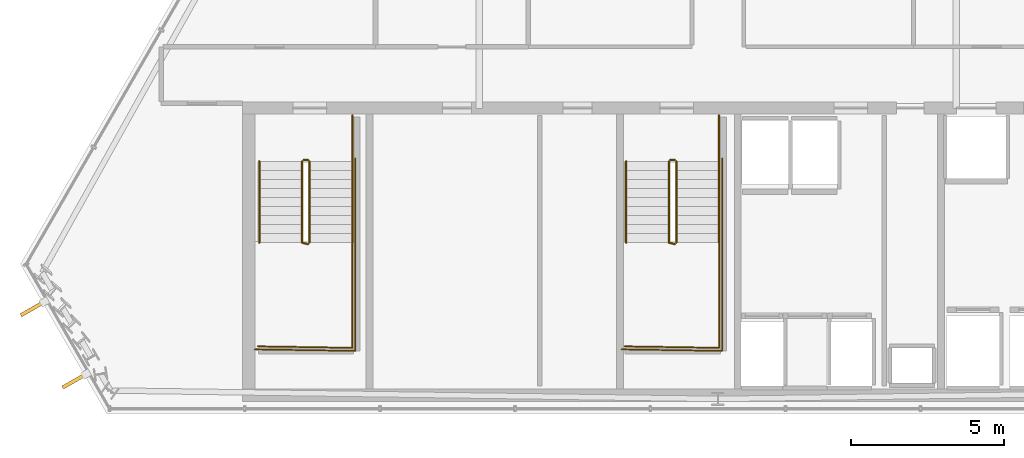
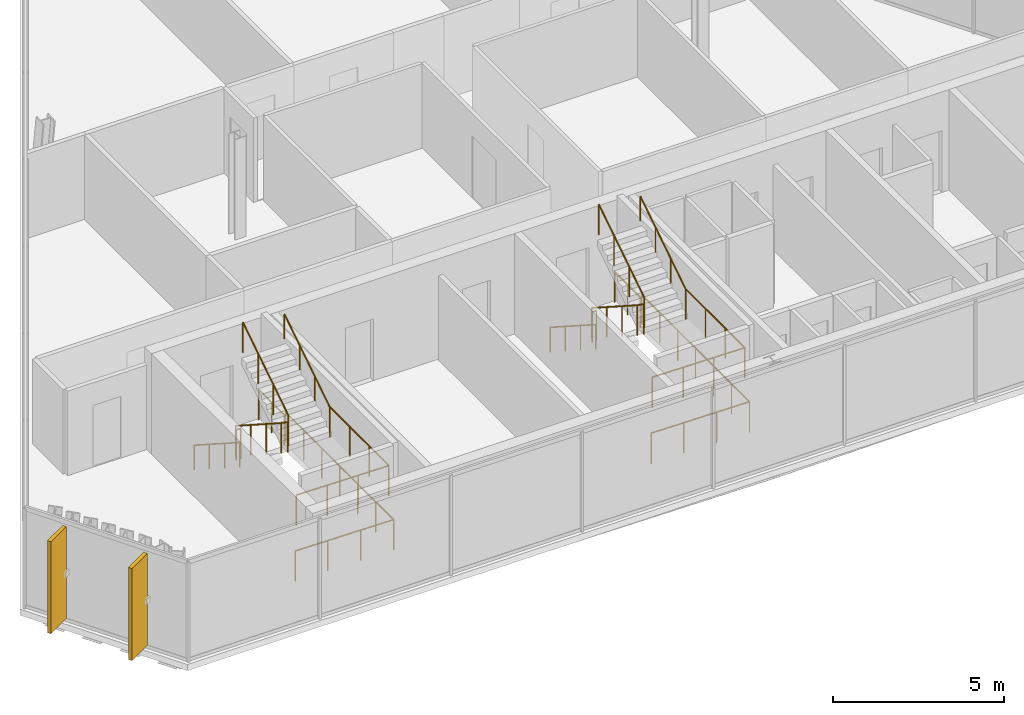
# One storey, part 32 of 34: 16 railings, 2 shading devices.
"""IFC4 building model written with IfcOpenShell, lengths in metres."""

from ifc_helpers import new_model, si_unit, direction, frame, origin, origin_2d, place, context, subcontext, project, spatial, rectangle, circle, extrude, material, layer, layer_set, type_object, element, save


model = new_model("IFC4")

# Units and contexts
model_context = context("Model", 3, precision=1e-05, world=origin(), true_north=direction((0.0, 1.0)))
body_context = subcontext(model_context, "Body", "Model", "MODEL_VIEW")
ifc_project = project(units=[si_unit("LENGTHUNIT", "METRE"), si_unit("AREAUNIT", "SQUARE_METRE"), si_unit("VOLUMEUNIT", "CUBIC_METRE"), si_unit("PLANEANGLEUNIT", "RADIAN"), si_unit("MASSUNIT", "GRAM", prefix="KILO")], contexts=[model_context])

# Site, building, storey
site_placement = place(None, origin())
site = spatial("IfcSite", under=ifc_project, at=site_placement, CompositionType="ELEMENT")
building_placement = place(site_placement, origin())
building = spatial("IfcBuilding", under=site, at=building_placement, Name="Ndaravel Arena Tower", CompositionType="ELEMENT")
storey_placement = place(building_placement, frame((0.0, 0.0, 267.39990234375)))
storey = spatial("IfcBuildingStorey", under=building, at=storey_placement, Name="L65", CompositionType="ELEMENT", Elevation=267.39990234375)

# Railings
ifc_material_1 = material(Name="Steel S355", Category="steel")
ifc_layer_1 = layer(ifc_material_1, 0.06005859375)
ifc_layer_set_1 = layer_set([ifc_layer_1], Name="Steel S355")
railing_type_1 = type_object("IfcRailingType", Name="RAIL-STAIR-GD1100", PredefinedType="GUARDRAIL", material=ifc_layer_set_1)
railing_1_placement = place(storey_placement, frame((28.39990234375, 13.25, 0.190185546875)))
element("IfcRailing", 1, at=railing_1_placement, inside=storey, type_object=railing_type_1, Name="L65 ST-1 stair guard 1", PredefinedType="GUARDRAIL", context=body_context, shape_type="SweptSolid", body=[
    extrude(circle(Radius=0.02392578125, at=origin_2d()), frame((0.0, 0.0, 1.076171875), z_axis=(0.0, -0.840723540582, 0.54146461409), x_axis=(1.0, 0.0, 0.0)), (0.0, 0.0, 1.0), 3.157958984375),
    extrude(circle(Radius=0.02392578125, at=origin_2d()), frame((0.0, -2.655029296875, 2.7861328125), z_axis=(0.967074537263, -0.25449329928, 0.0), x_axis=(0.25449329928, 0.967074537263, 0.0)), (0.0, 0.0, 1.0), 0.19677734375),
    extrude(circle(Radius=0.02099609375, at=origin_2d()), origin(), (0.0, 0.0, 1.0), 1.052001953125),
    extrude(circle(Radius=0.02099609375, at=origin_2d()), frame((0.0, -0.885009765625, 0.570068359375)), (0.0, 0.0, 1.0), 1.052001953125),
    extrude(circle(Radius=0.02099609375, at=origin_2d()), frame((0.0, -1.77001953125, 1.139892578125)), (0.0, 0.0, 1.0), 1.052001953125),
    extrude(circle(Radius=0.02099609375, at=origin_2d()), frame((0.0, -2.655029296875, 1.7099609375)), (0.0, 0.0, 1.0), 1.052001953125),
    extrude(circle(Radius=0.02099609375, at=origin_2d()), frame((0.190185546875, -2.705078125, 1.7099609375)), (0.0, 0.0, 1.0), 1.052001953125),
])
railing_2_placement = place(storey_placement, frame((30.0400390625, 10.594970703125, 1.900146484375)))
element("IfcRailing", 2, at=railing_2_placement, inside=storey, type_object=railing_type_1, Name="L65 ST-1 stair guard 2", PredefinedType="GUARDRAIL", context=body_context, shape_type="SweptSolid", body=[
    extrude(circle(Radius=0.02392578125, at=origin_2d()), frame((0.0, 0.0, 1.076171875), z_axis=(0.0, -1.0, 0.0), x_axis=(1.0, 0.0, 0.0)), (0.0, 0.0, 1.0), 3.445068359375),
    extrude(circle(Radius=0.02392578125, at=origin_2d()), frame((0.0, -3.445068359375, 1.076171875), z_axis=(-0.999868861343, 0.016194447071, 0.0), x_axis=(-0.016194447071, -0.999868861343, 0.0)), (0.0, 0.0, 1.0), 3.090576171875),
    extrude(circle(Radius=0.02099609375, at=origin_2d()), origin(), (0.0, 0.0, 1.0), 1.052001953125),
    extrude(circle(Radius=0.02099609375, at=origin_2d()), frame((0.0, -1.1484375, 0.0)), (0.0, 0.0, 1.0), 1.052001953125),
    extrude(circle(Radius=0.02099609375, at=origin_2d()), frame((0.0, -2.296630859375, 0.0)), (0.0, 0.0, 1.0), 1.052001953125),
    extrude(circle(Radius=0.02099609375, at=origin_2d()), frame((0.0, -3.445068359375, 0.0)), (0.0, 0.0, 1.0), 1.052001953125),
    extrude(circle(Radius=0.02099609375, at=origin_2d()), frame((-1.030029296875, -3.428466796875, 0.0)), (0.0, 0.0, 1.0), 1.052001953125),
    extrude(circle(Radius=0.02099609375, at=origin_2d()), frame((-2.06005859375, -3.41162109375, 0.0)), (0.0, 0.0, 1.0), 1.052001953125),
    extrude(circle(Radius=0.02099609375, at=origin_2d()), frame((-3.090087890625, -3.39501953125, 0.0)), (0.0, 0.0, 1.0), 1.052001953125),
])
railing_3_placement = place(storey_placement, frame((28.639892578125, 10.594970703125, 2.090087890625)))
element("IfcRailing", 3, at=railing_3_placement, inside=storey, type_object=railing_type_1, Name="L65 ST-1 stair guard 3", PredefinedType="GUARDRAIL", context=body_context, shape_type="SweptSolid", body=[
    extrude(circle(Radius=0.02392578125, at=origin_2d()), frame((0.0, 0.0, 1.076171875), z_axis=(0.0, 0.840723540582, 0.54146461409), x_axis=(-1.0, 0.0, 0.0)), (0.0, 0.0, 1.0), 3.157958984375),
    extrude(circle(Radius=0.02099609375, at=origin_2d()), origin(), (0.0, 0.0, 1.0), 1.052001953125),
    extrude(circle(Radius=0.02099609375, at=origin_2d()), frame((0.0, 0.885009765625, 0.570068359375)), (0.0, 0.0, 1.0), 1.052001953125),
    extrude(circle(Radius=0.02099609375, at=origin_2d()), frame((0.0, 1.77001953125, 1.139892578125)), (0.0, 0.0, 1.0), 1.052001953125),
    extrude(circle(Radius=0.02099609375, at=origin_2d()), frame((0.0, 2.655029296875, 1.7099609375)), (0.0, 0.0, 1.0), 1.052001953125),
])
railing_4_placement = place(storey_placement, frame((28.449951171875, 13.300048828125, 0.0)))
element("IfcRailing", 4, at=railing_4_placement, inside=storey, type_object=railing_type_1, Name="L65 ST-1 stair guard 4", PredefinedType="GUARDRAIL", context=body_context, shape_type="SweptSolid", body=[
    extrude(circle(Radius=0.02392578125, at=origin_2d()), frame((0.0, 0.0, 1.076171875), z_axis=(1.0, 0.0, 0.0), x_axis=(0.0, 1.0, 0.0)), (0.0, 0.0, 1.0), 0.14013671875),
    extrude(circle(Radius=0.02099609375, at=origin_2d()), origin(), (0.0, 0.0, 1.0), 1.052001953125),
    extrude(circle(Radius=0.02099609375, at=origin_2d()), frame((0.14013671875, 0.0, 0.0)), (0.0, 0.0, 1.0), 1.052001953125),
])
railing_5_placement = place(storey_placement, frame((30.0400390625, 14.75, 0.0)))
element("IfcRailing", 5, at=railing_5_placement, inside=storey, type_object=railing_type_1, Name="L65 ST-1 stair guard 5", PredefinedType="GUARDRAIL", context=body_context, shape_type="SweptSolid", body=[
    extrude(circle(Radius=0.02392578125, at=origin_2d()), frame((0.0, 0.0, 1.076171875), z_axis=(0.0, -1.0, 0.0), x_axis=(1.0, 0.0, 0.0)), (0.0, 0.0, 1.0), 1.5),
    extrude(circle(Radius=0.02099609375, at=origin_2d()), origin(), (0.0, 0.0, 1.0), 1.052001953125),
    extrude(circle(Radius=0.02099609375, at=origin_2d()), frame((0.0, -0.75, 0.0)), (0.0, 0.0, 1.0), 1.052001953125),
    extrude(circle(Radius=0.02099609375, at=origin_2d()), frame((0.0, -1.5, 0.0)), (0.0, 0.0, 1.0), 1.052001953125),
])
railing_6_placement = place(storey_placement, frame((30.139892578125, 13.35009765625, 0.0)))
element("IfcRailing", 6, at=railing_6_placement, inside=storey, type_object=railing_type_1, Name="L65 ST-1 stair guard 6", PredefinedType="GUARDRAIL", context=body_context, shape_type="SweptSolid", body=[
    extrude(circle(Radius=0.02392578125, at=origin_2d()), frame((0.0, 0.0, 1.076171875), z_axis=(0.0, -1.0, 0.0), x_axis=(1.0, 0.0, 0.0)), (0.0, 0.0, 1.0), 6.300048828125),
    extrude(circle(Radius=0.02392578125, at=origin_2d()), frame((0.0, -6.300048828125, 1.076171875), z_axis=(-0.999884296952, 0.015211597839, 0.0), x_axis=(-0.015211597839, -0.999884296952, 0.0)), (0.0, 0.0, 1.0), 3.290283203125),
    extrude(circle(Radius=0.02099609375, at=origin_2d()), origin(), (0.0, 0.0, 1.0), 1.052001953125),
    extrude(circle(Radius=0.02099609375, at=origin_2d()), frame((0.0, -1.050048828125, 0.0)), (0.0, 0.0, 1.0), 1.052001953125),
    extrude(circle(Radius=0.02099609375, at=origin_2d()), frame((0.0, -2.10009765625, 0.0)), (0.0, 0.0, 1.0), 1.052001953125),
    extrude(circle(Radius=0.02099609375, at=origin_2d()), frame((0.0, -3.14990234375, 0.0)), (0.0, 0.0, 1.0), 1.052001953125),
    extrude(circle(Radius=0.02099609375, at=origin_2d()), frame((0.0, -4.199951171875, 0.0)), (0.0, 0.0, 1.0), 1.052001953125),
    extrude(circle(Radius=0.02099609375, at=origin_2d()), frame((0.0, -5.25, 0.0)), (0.0, 0.0, 1.0), 1.052001953125),
    extrude(circle(Radius=0.02099609375, at=origin_2d()), frame((0.0, -6.300048828125, 0.0)), (0.0, 0.0, 1.0), 1.052001953125),
    extrude(circle(Radius=0.02099609375, at=origin_2d()), frame((-1.0966796875, -6.283447265625, 0.0)), (0.0, 0.0, 1.0), 1.052001953125),
    extrude(circle(Radius=0.02099609375, at=origin_2d()), frame((-2.193115234375, -6.2666015625, 0.0)), (0.0, 0.0, 1.0), 1.052001953125),
    extrude(circle(Radius=0.02099609375, at=origin_2d()), frame((-3.289794921875, -6.25, 0.0)), (0.0, 0.0, 1.0), 1.052001953125),
])
railing_7_placement = place(storey_placement, frame((40.39990234375, 13.25, 0.190185546875)))
element("IfcRailing", 7, at=railing_7_placement, inside=storey, type_object=railing_type_1, Name="L65 ST-2 stair guard 1", PredefinedType="GUARDRAIL", context=body_context, shape_type="SweptSolid", body=[
    extrude(circle(Radius=0.02392578125, at=origin_2d()), frame((0.0, 0.0, 1.076171875), z_axis=(0.0, -0.840723540582, 0.54146461409), x_axis=(1.0, 0.0, 0.0)), (0.0, 0.0, 1.0), 3.157958984375),
    extrude(circle(Radius=0.02392578125, at=origin_2d()), frame((0.0, -2.655029296875, 2.7861328125), z_axis=(0.967074537263, -0.25449329928, 0.0), x_axis=(0.25449329928, 0.967074537263, 0.0)), (0.0, 0.0, 1.0), 0.19677734375),
    extrude(circle(Radius=0.02099609375, at=origin_2d()), origin(), (0.0, 0.0, 1.0), 1.052001953125),
    extrude(circle(Radius=0.02099609375, at=origin_2d()), frame((0.0, -0.885009765625, 0.570068359375)), (0.0, 0.0, 1.0), 1.052001953125),
    extrude(circle(Radius=0.02099609375, at=origin_2d()), frame((0.0, -1.77001953125, 1.139892578125)), (0.0, 0.0, 1.0), 1.052001953125),
    extrude(circle(Radius=0.02099609375, at=origin_2d()), frame((0.0, -2.655029296875, 1.7099609375)), (0.0, 0.0, 1.0), 1.052001953125),
    extrude(circle(Radius=0.02099609375, at=origin_2d()), frame((0.190185546875, -2.705078125, 1.7099609375)), (0.0, 0.0, 1.0), 1.052001953125),
])
railing_8_placement = place(storey_placement, frame((42.0400390625, 10.594970703125, 1.900146484375)))
element("IfcRailing", 8, at=railing_8_placement, inside=storey, type_object=railing_type_1, Name="L65 ST-2 stair guard 2", PredefinedType="GUARDRAIL", context=body_context, shape_type="SweptSolid", body=[
    extrude(circle(Radius=0.02392578125, at=origin_2d()), frame((0.0, 0.0, 1.076171875), z_axis=(0.0, -1.0, 0.0), x_axis=(1.0, 0.0, 0.0)), (0.0, 0.0, 1.0), 3.445068359375),
    extrude(circle(Radius=0.02392578125, at=origin_2d()), frame((0.0, -3.445068359375, 1.076171875), z_axis=(-0.999868861343, 0.016194447071, 0.0), x_axis=(-0.016194447071, -0.999868861343, 0.0)), (0.0, 0.0, 1.0), 3.090576171875),
    extrude(circle(Radius=0.02099609375, at=origin_2d()), origin(), (0.0, 0.0, 1.0), 1.052001953125),
    extrude(circle(Radius=0.02099609375, at=origin_2d()), frame((0.0, -1.1484375, 0.0)), (0.0, 0.0, 1.0), 1.052001953125),
    extrude(circle(Radius=0.02099609375, at=origin_2d()), frame((0.0, -2.296630859375, 0.0)), (0.0, 0.0, 1.0), 1.052001953125),
    extrude(circle(Radius=0.02099609375, at=origin_2d()), frame((0.0, -3.445068359375, 0.0)), (0.0, 0.0, 1.0), 1.052001953125),
    extrude(circle(Radius=0.02099609375, at=origin_2d()), frame((-1.030029296875, -3.428466796875, 0.0)), (0.0, 0.0, 1.0), 1.052001953125),
    extrude(circle(Radius=0.02099609375, at=origin_2d()), frame((-2.06005859375, -3.41162109375, 0.0)), (0.0, 0.0, 1.0), 1.052001953125),
    extrude(circle(Radius=0.02099609375, at=origin_2d()), frame((-3.090087890625, -3.39501953125, 0.0)), (0.0, 0.0, 1.0), 1.052001953125),
])
railing_9_placement = place(storey_placement, frame((40.639892578125, 10.594970703125, 2.090087890625)))
element("IfcRailing", 9, at=railing_9_placement, inside=storey, type_object=railing_type_1, Name="L65 ST-2 stair guard 3", PredefinedType="GUARDRAIL", context=body_context, shape_type="SweptSolid", body=[
    extrude(circle(Radius=0.02392578125, at=origin_2d()), frame((0.0, 0.0, 1.076171875), z_axis=(0.0, 0.840723540582, 0.54146461409), x_axis=(-1.0, 0.0, 0.0)), (0.0, 0.0, 1.0), 3.157958984375),
    extrude(circle(Radius=0.02099609375, at=origin_2d()), origin(), (0.0, 0.0, 1.0), 1.052001953125),
    extrude(circle(Radius=0.02099609375, at=origin_2d()), frame((0.0, 0.885009765625, 0.570068359375)), (0.0, 0.0, 1.0), 1.052001953125),
    extrude(circle(Radius=0.02099609375, at=origin_2d()), frame((0.0, 1.77001953125, 1.139892578125)), (0.0, 0.0, 1.0), 1.052001953125),
    extrude(circle(Radius=0.02099609375, at=origin_2d()), frame((0.0, 2.655029296875, 1.7099609375)), (0.0, 0.0, 1.0), 1.052001953125),
])
railing_10_placement = place(storey_placement, frame((40.449951171875, 13.300048828125, 0.0)))
element("IfcRailing", 10, at=railing_10_placement, inside=storey, type_object=railing_type_1, Name="L65 ST-2 stair guard 4", PredefinedType="GUARDRAIL", context=body_context, shape_type="SweptSolid", body=[
    extrude(circle(Radius=0.02392578125, at=origin_2d()), frame((0.0, 0.0, 1.076171875), z_axis=(1.0, 0.0, 0.0), x_axis=(0.0, 1.0, 0.0)), (0.0, 0.0, 1.0), 0.14013671875),
    extrude(circle(Radius=0.02099609375, at=origin_2d()), origin(), (0.0, 0.0, 1.0), 1.052001953125),
    extrude(circle(Radius=0.02099609375, at=origin_2d()), frame((0.14013671875, 0.0, 0.0)), (0.0, 0.0, 1.0), 1.052001953125),
])
railing_11_placement = place(storey_placement, frame((42.0400390625, 14.75, 0.0)))
element("IfcRailing", 11, at=railing_11_placement, inside=storey, type_object=railing_type_1, Name="L65 ST-2 stair guard 5", PredefinedType="GUARDRAIL", context=body_context, shape_type="SweptSolid", body=[
    extrude(circle(Radius=0.02392578125, at=origin_2d()), frame((0.0, 0.0, 1.076171875), z_axis=(0.0, -1.0, 0.0), x_axis=(1.0, 0.0, 0.0)), (0.0, 0.0, 1.0), 1.5),
    extrude(circle(Radius=0.02099609375, at=origin_2d()), origin(), (0.0, 0.0, 1.0), 1.052001953125),
    extrude(circle(Radius=0.02099609375, at=origin_2d()), frame((0.0, -0.75, 0.0)), (0.0, 0.0, 1.0), 1.052001953125),
    extrude(circle(Radius=0.02099609375, at=origin_2d()), frame((0.0, -1.5, 0.0)), (0.0, 0.0, 1.0), 1.052001953125),
])
railing_12_placement = place(storey_placement, frame((42.139892578125, 13.35009765625, 0.0)))
element("IfcRailing", 12, at=railing_12_placement, inside=storey, type_object=railing_type_1, Name="L65 ST-2 stair guard 6", PredefinedType="GUARDRAIL", context=body_context, shape_type="SweptSolid", body=[
    extrude(circle(Radius=0.02392578125, at=origin_2d()), frame((0.0, 0.0, 1.076171875), z_axis=(0.0, -1.0, 0.0), x_axis=(1.0, 0.0, 0.0)), (0.0, 0.0, 1.0), 6.300048828125),
    extrude(circle(Radius=0.02392578125, at=origin_2d()), frame((0.0, -6.300048828125, 1.076171875), z_axis=(-0.999884296952, 0.015211597839, 0.0), x_axis=(-0.015211597839, -0.999884296952, 0.0)), (0.0, 0.0, 1.0), 3.290283203125),
    extrude(circle(Radius=0.02099609375, at=origin_2d()), origin(), (0.0, 0.0, 1.0), 1.052001953125),
    extrude(circle(Radius=0.02099609375, at=origin_2d()), frame((0.0, -1.050048828125, 0.0)), (0.0, 0.0, 1.0), 1.052001953125),
    extrude(circle(Radius=0.02099609375, at=origin_2d()), frame((0.0, -2.10009765625, 0.0)), (0.0, 0.0, 1.0), 1.052001953125),
    extrude(circle(Radius=0.02099609375, at=origin_2d()), frame((0.0, -3.14990234375, 0.0)), (0.0, 0.0, 1.0), 1.052001953125),
    extrude(circle(Radius=0.02099609375, at=origin_2d()), frame((0.0, -4.199951171875, 0.0)), (0.0, 0.0, 1.0), 1.052001953125),
    extrude(circle(Radius=0.02099609375, at=origin_2d()), frame((0.0, -5.25, 0.0)), (0.0, 0.0, 1.0), 1.052001953125),
    extrude(circle(Radius=0.02099609375, at=origin_2d()), frame((0.0, -6.300048828125, 0.0)), (0.0, 0.0, 1.0), 1.052001953125),
    extrude(circle(Radius=0.02099609375, at=origin_2d()), frame((-1.0966796875, -6.283447265625, 0.0)), (0.0, 0.0, 1.0), 1.052001953125),
    extrude(circle(Radius=0.02099609375, at=origin_2d()), frame((-2.193115234375, -6.2666015625, 0.0)), (0.0, 0.0, 1.0), 1.052001953125),
    extrude(circle(Radius=0.02099609375, at=origin_2d()), frame((-3.289794921875, -6.25, 0.0)), (0.0, 0.0, 1.0), 1.052001953125),
])
ifc_material_2 = material(Name="Steel S355", Category="steel")
ifc_layer_2 = layer(ifc_material_2, 0.050048828125)
ifc_layer_set_2 = layer_set([ifc_layer_2], Name="Steel S355")
railing_type_2 = type_object("IfcRailingType", Name="RAIL-STAIR-HR920", PredefinedType="HANDRAIL", material=ifc_layer_set_2)
railing_13_placement = place(storey_placement, frame((27.0, 13.25, 0.190185546875)))
element("IfcRailing", 13, at=railing_13_placement, inside=storey, type_object=railing_type_2, Name="L65 ST-1 stair handrail 1", PredefinedType="HANDRAIL", context=body_context, shape_type="SweptSolid", body=[
    extrude(circle(Radius=0.02392578125, at=origin_2d()), frame((0.0, 0.0, 0.8759765625), z_axis=(0.0, -0.840723540582, 0.54146461409), x_axis=(1.0, 0.0, 0.0)), (0.0, 0.0, 1.0), 3.157958984375),
    extrude(circle(Radius=0.02099609375, at=origin_2d()), origin(), (0.0, 0.0, 1.0), 0.851806640625),
    extrude(circle(Radius=0.02099609375, at=origin_2d()), frame((0.0, -0.885009765625, 0.570068359375)), (0.0, 0.0, 1.0), 0.851806640625),
    extrude(circle(Radius=0.02099609375, at=origin_2d()), frame((0.0, -1.77001953125, 1.139892578125)), (0.0, 0.0, 1.0), 0.851806640625),
    extrude(circle(Radius=0.02099609375, at=origin_2d()), frame((0.0, -2.655029296875, 1.7099609375)), (0.0, 0.0, 1.0), 0.851806640625),
])
railing_14_placement = place(storey_placement, frame((30.0400390625, 10.594970703125, 2.090087890625)))
element("IfcRailing", 14, at=railing_14_placement, inside=storey, type_object=railing_type_2, Name="L65 ST-1 stair handrail 2", PredefinedType="HANDRAIL", context=body_context, shape_type="SweptSolid", body=[
    extrude(circle(Radius=0.02392578125, at=origin_2d()), frame((0.0, 0.0, 0.8759765625), z_axis=(0.0, 0.840723540582, 0.54146461409), x_axis=(-1.0, 0.0, 0.0)), (0.0, 0.0, 1.0), 3.157958984375),
    extrude(circle(Radius=0.02099609375, at=origin_2d()), origin(), (0.0, 0.0, 1.0), 0.851806640625),
    extrude(circle(Radius=0.02099609375, at=origin_2d()), frame((0.0, 0.885009765625, 0.570068359375)), (0.0, 0.0, 1.0), 0.851806640625),
    extrude(circle(Radius=0.02099609375, at=origin_2d()), frame((0.0, 1.77001953125, 1.139892578125)), (0.0, 0.0, 1.0), 0.851806640625),
    extrude(circle(Radius=0.02099609375, at=origin_2d()), frame((0.0, 2.655029296875, 1.7099609375)), (0.0, 0.0, 1.0), 0.851806640625),
])
railing_15_placement = place(storey_placement, frame((39.0, 13.25, 0.190185546875)))
element("IfcRailing", 15, at=railing_15_placement, inside=storey, type_object=railing_type_2, Name="L65 ST-2 stair handrail 1", PredefinedType="HANDRAIL", context=body_context, shape_type="SweptSolid", body=[
    extrude(circle(Radius=0.02392578125, at=origin_2d()), frame((0.0, 0.0, 0.8759765625), z_axis=(0.0, -0.840723540582, 0.54146461409), x_axis=(1.0, 0.0, 0.0)), (0.0, 0.0, 1.0), 3.157958984375),
    extrude(circle(Radius=0.02099609375, at=origin_2d()), origin(), (0.0, 0.0, 1.0), 0.851806640625),
    extrude(circle(Radius=0.02099609375, at=origin_2d()), frame((0.0, -0.885009765625, 0.570068359375)), (0.0, 0.0, 1.0), 0.851806640625),
    extrude(circle(Radius=0.02099609375, at=origin_2d()), frame((0.0, -1.77001953125, 1.139892578125)), (0.0, 0.0, 1.0), 0.851806640625),
    extrude(circle(Radius=0.02099609375, at=origin_2d()), frame((0.0, -2.655029296875, 1.7099609375)), (0.0, 0.0, 1.0), 0.851806640625),
])
railing_16_placement = place(storey_placement, frame((42.0400390625, 10.594970703125, 2.090087890625)))
element("IfcRailing", 16, at=railing_16_placement, inside=storey, type_object=railing_type_2, Name="L65 ST-2 stair handrail 2", PredefinedType="HANDRAIL", context=body_context, shape_type="SweptSolid", body=[
    extrude(circle(Radius=0.02392578125, at=origin_2d()), frame((0.0, 0.0, 0.8759765625), z_axis=(0.0, 0.840723540582, 0.54146461409), x_axis=(-1.0, 0.0, 0.0)), (0.0, 0.0, 1.0), 3.157958984375),
    extrude(circle(Radius=0.02099609375, at=origin_2d()), origin(), (0.0, 0.0, 1.0), 0.851806640625),
    extrude(circle(Radius=0.02099609375, at=origin_2d()), frame((0.0, 0.885009765625, 0.570068359375)), (0.0, 0.0, 1.0), 0.851806640625),
    extrude(circle(Radius=0.02099609375, at=origin_2d()), frame((0.0, 1.77001953125, 1.139892578125)), (0.0, 0.0, 1.0), 0.851806640625),
    extrude(circle(Radius=0.02099609375, at=origin_2d()), frame((0.0, 2.655029296875, 1.7099609375)), (0.0, 0.0, 1.0), 0.851806640625),
])

# Shading devices
ifc_material_3 = material(Name="Masonry", Category="masonry")
shading_device_type = type_object("IfcShadingDeviceType", Name="SHD-MAZERAS-FIN", PredefinedType="SHUTTER", material=ifc_material_3)
for number, where, z_axis, x_axis, name in (
    (17, (19.5888671875, 8.439697265625, 0.14990234375), (0.0, 0.0, 1.0), (-0.866025403784, -0.5, 0.0), "L65 Mazeras Stone Solar Fin E6.1"),
    (18, (20.9541015625, 6.0751953125, 0.14990234375), (0.0, 0.0, 1.0), (-0.866025403784, -0.5, 0.0), "L65 Mazeras Stone Solar Fin E6.2"),
):
    element("IfcShadingDevice", number, at=place(storey_placement, frame(where, z_axis=z_axis, x_axis=x_axis)), inside=storey, type_object=shading_device_type, Name=name, PredefinedType="SHUTTER", context=body_context, shape_type="SweptSolid", body=[
        extrude(rectangle(XDim=0.89990234375, YDim=0.1201171875, at=origin_2d()), origin(), (0.0, 0.0, 1.0), 3.280029296875),
    ])

save(model, "model.ifc")
